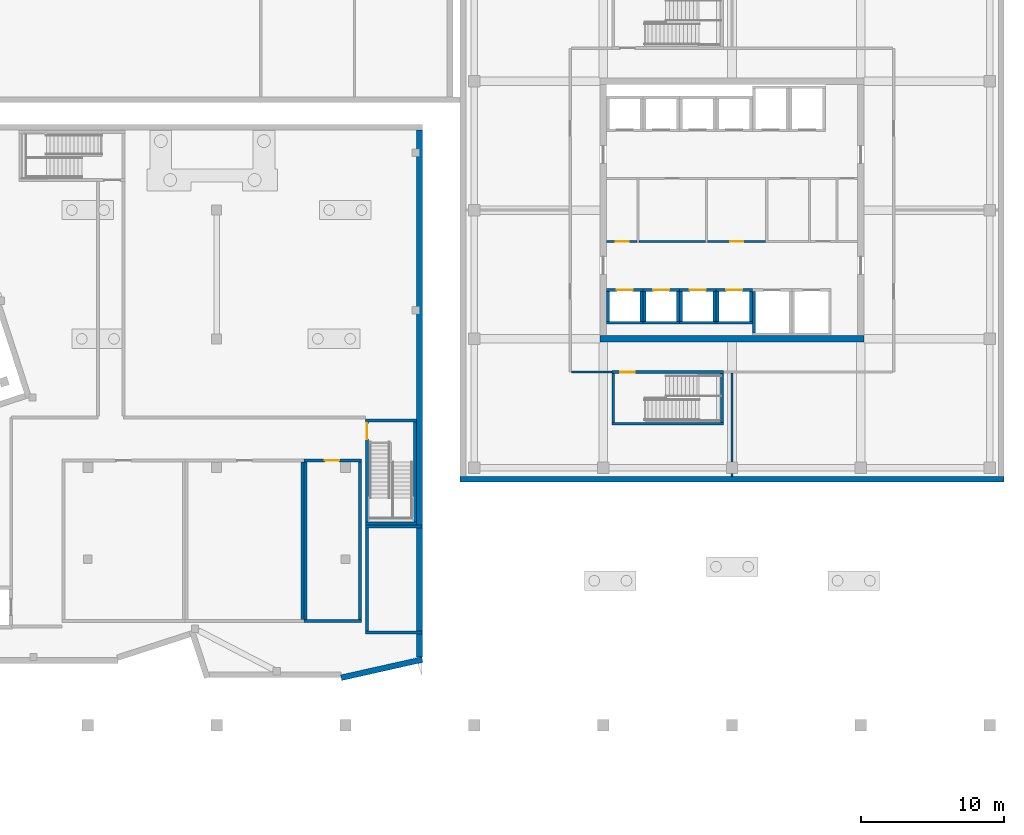
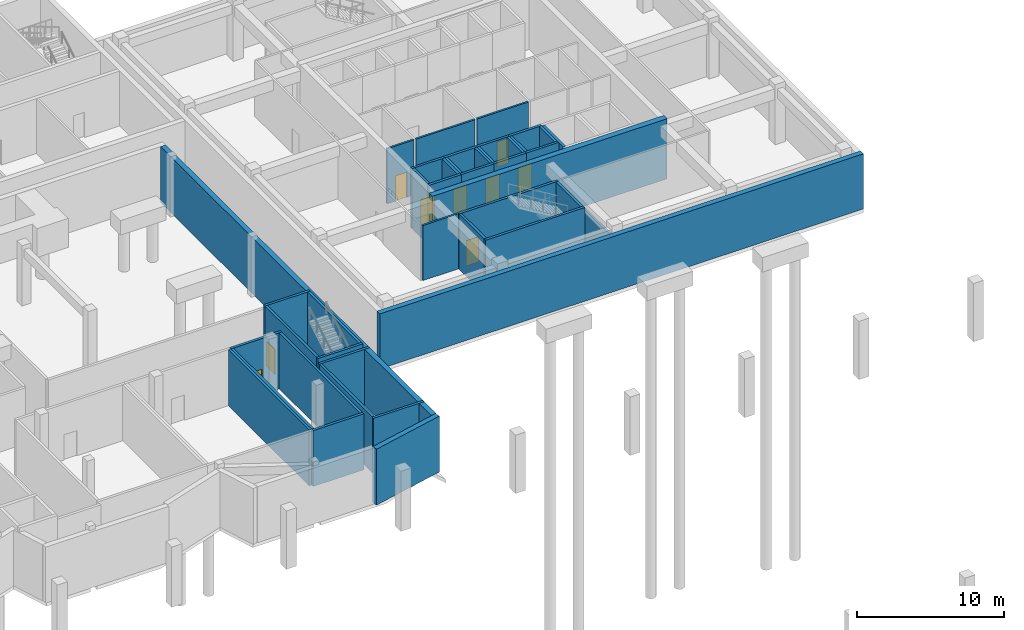
# One storey, part 6 of 15: 42 walls, 9 doors, 9 openings.
"""IFC4 building model written with IfcOpenShell, lengths in metres."""

import ifcopenshell
import ifcopenshell.guid

model = None  # the IFC model being written
_history = None  # IfcOwnerHistory: only IFC2X3 demands one
_inside = {}  # id of a spatial element -> (the spatial element, [elements in it])
_under = {}  # id of a project, library or spatial element -> (it, [spatial elements below it])
_declared = {}  # id of a project -> (the project, [libraries it declares])
_typed = {}  # id of a type object -> (the type object, [elements of that type])
_made_of = {}  # id of a material, layer set ... -> (it, [elements and type objects made of it])


def new_model(schema):
    """Start an empty IFC model of exactly this schema.

    Asked for "IFC4X3", IfcOpenShell would pick the latest addendum, in which some entities
    have other attributes; the version numbers below select the first issue.
    IFC2X3 requires an IfcOwnerHistory on every rooted entity: one is made here for all.
    """
    global model, _history
    if schema == "IFC4X3":
        model = ifcopenshell.file(schema_version=(4, 3, 0, 0))
    else:
        model = ifcopenshell.file(schema=schema)
    _inside.clear()
    _under.clear()
    _declared.clear()
    _typed.clear()
    _made_of.clear()
    _history = None
    if model.schema == "IFC2X3":
        org = make("IfcOrganization", Name="unknown")
        user = make(
            "IfcPersonAndOrganization",
            ThePerson=make("IfcPerson", FamilyName="unknown"),
            TheOrganization=org,
        )
        app = make(
            "IfcApplication",
            ApplicationDeveloper=org,
            Version="unknown",
            ApplicationFullName="unknown",
            ApplicationIdentifier="unknown",
        )
        _history = make(
            "IfcOwnerHistory",
            OwningUser=user,
            OwningApplication=app,
            ChangeAction="ADDED",
            CreationDate=0,
        )
    return model


def make(cls, **values):
    """One entity of the class cls with the attributes given. An attribute that is None is left unset."""
    return model.create_entity(
        cls, **{name: value for name, value in values.items() if value is not None}
    )


def rooted(cls, **values):
    """An entity with a GlobalId (a new one), such as an element, a storey or a relation."""
    return make(cls, GlobalId=ifcopenshell.guid.new(), OwnerHistory=_history, **values)


def si_unit(unit_type, name, prefix=None):
    """IfcSIUnit, for example si_unit("LENGTHUNIT", "METRE", prefix="MILLI")."""
    return make("IfcSIUnit", UnitType=unit_type, Prefix=prefix, Name=name)


def assignment(units):
    """IfcUnitAssignment: the units of a project."""
    return None if units is None else make("IfcUnitAssignment", Units=units)


def point(xyz):
    """IfcCartesianPoint."""
    return None if xyz is None else make("IfcCartesianPoint", Coordinates=xyz)


def direction(xyz):
    """IfcDirection."""
    return None if xyz is None else make("IfcDirection", DirectionRatios=xyz)


def frame(location, z_axis=None, x_axis=None):
    """IfcAxis2Placement3D, a coordinate frame: its origin and axes. An axis left out is left unset."""
    return make(
        "IfcAxis2Placement3D",
        Location=point(location),
        Axis=direction(z_axis),
        RefDirection=direction(x_axis),
    )


def frame_2d(location, x_axis=None):
    """IfcAxis2Placement2D, a coordinate frame in the plane: its origin and x axis."""
    return make(
        "IfcAxis2Placement2D", Location=point(location), RefDirection=direction(x_axis)
    )


def origin():
    """The frame at (0, 0, 0) with its axes left unset."""
    return frame((0.0, 0.0, 0.0))


def place(relative_to, where):
    """IfcLocalPlacement: puts the frame where relative to a parent placement (None: the world)."""
    return make(
        "IfcLocalPlacement", PlacementRelTo=relative_to, RelativePlacement=where
    )


def context(
    kind, dimensions, precision=None, world=None, true_north=None, identifier=None
):
    """IfcGeometricRepresentationContext, for example the 3D "Model" context."""
    return make(
        "IfcGeometricRepresentationContext",
        ContextIdentifier=identifier,
        ContextType=kind,
        CoordinateSpaceDimension=dimensions,
        Precision=precision,
        WorldCoordinateSystem=world,
        TrueNorth=true_north,
    )


def subcontext(parent, identifier, kind, view, scale=None):
    """IfcGeometricRepresentationSubContext, for example "Body" below "Model"."""
    return make(
        "IfcGeometricRepresentationSubContext",
        ContextIdentifier=identifier,
        ContextType=kind,
        ParentContext=parent,
        TargetScale=scale,
        TargetView=view,
    )


def project(units=None, contexts=None):
    """IfcProject with its units and contexts."""
    return rooted(
        "IfcProject",
        Name="project",
        RepresentationContexts=contexts,
        UnitsInContext=assignment(units),
    )


def spatial(cls, under=None, at=None, **own):
    """A site, building, storey or space (cls), placed at a placement, below another one or the project."""
    s = rooted(cls, ObjectPlacement=at, **own)
    if under is not None:
        _under.setdefault(under.id(), (under, []))[1].append(s)
    return s


def profile(cls, at=None, kind="AREA", **sizes):
    """A parametric profile (cls). Its sizes go by their IFC names, for example OverallWidth=200.0."""
    return make(cls, ProfileType=kind, Position=at, **sizes)


def rectangle(**sizes):
    """IfcRectangleProfileDef."""
    return profile("IfcRectangleProfileDef", **sizes)


def extrude(swept, where, along, depth):
    """IfcExtrudedAreaSolid: the profile swept, set in the frame where, extruded along a direction by depth."""
    return make(
        "IfcExtrudedAreaSolid",
        SweptArea=swept,
        Position=where,
        ExtrudedDirection=direction(along),
        Depth=depth,
    )


def shape(context_of_items, identifier, shape_type, items):
    """IfcShapeRepresentation: the items that make up one representation, for example the "Body"."""
    return make(
        "IfcShapeRepresentation",
        ContextOfItems=context_of_items,
        RepresentationIdentifier=identifier,
        RepresentationType=shape_type,
        Items=items,
    )


def material(Name=None, Category=None):
    """IfcMaterial."""
    return make("IfcMaterial", Name=Name, Category=Category)


def layer(
    of_material, thickness, ventilated=None, Name=None, Category=None, Priority=None
):
    """IfcMaterialLayer: one layer of a wall or slab, of a material (None: an air gap)."""
    return make(
        "IfcMaterialLayer",
        Material=of_material,
        LayerThickness=thickness,
        IsVentilated=ventilated,
        Name=Name,
        Category=Category,
        Priority=Priority,
    )


def layer_set(layers, Name=None):
    """IfcMaterialLayerSet."""
    return make("IfcMaterialLayerSet", MaterialLayers=layers, LayerSetName=Name)


def made_of(thing, what):
    """Note that an element or type object is made of a material, layer set ...; save() writes the relation."""
    if what is not None:
        _made_of.setdefault(what.id(), (what, []))[1].append(thing)
    return thing


def type_object(cls, material=None, **own):
    """A type object (cls), such as IfcWallType, which elements share."""
    return made_of(rooted(cls, **own), material)


def element(
    cls,
    number,
    at=None,
    inside=None,
    cuts=None,
    type_object=None,
    material=None,
    context=None,
    identifier="Body",
    shape_type=None,
    held_by="IfcProductDefinitionShape",
    body=None,
    shapes=None,
    **own,
):
    """One element of the class cls, such as IfcWall. Its Tag is "e" and its number.

    at: its placement. inside: the storey or other place that contains it. cuts: it is an
    opening in that element (IfcRelVoidsElement). A single representation is given by context,
    identifier, shape_type and body (its items); several are given by shapes. held_by: the class
    of the entity that holds the representations. save() writes the other relations.
    """
    e = rooted(cls, Tag="e%d" % number, ObjectPlacement=at, **own)
    if body is not None:
        shapes = [shape(context, identifier, shape_type, body)]
    if shapes is not None:
        e.Representation = make(held_by, Representations=shapes)
    if inside is not None:
        _inside.setdefault(inside.id(), (inside, []))[1].append(e)
    if cuts is not None:
        rooted(
            "IfcRelVoidsElement", RelatingBuildingElement=cuts, RelatedOpeningElement=e
        )
    if type_object is not None:
        _typed.setdefault(type_object.id(), (type_object, []))[1].append(e)
    return made_of(e, material)


def fill(opening, filler):
    """IfcRelFillsElement: the door or window that sits in an opening."""
    return rooted(
        "IfcRelFillsElement",
        RelatingOpeningElement=opening,
        RelatedBuildingElement=filler,
    )


def aggregate(whole, parts):
    """IfcRelAggregates: a whole, such as a stair, and the parts it consists of."""
    return rooted("IfcRelAggregates", RelatingObject=whole, RelatedObjects=parts)


def save(model, path):
    """Write the relations noted so far, then the file.

    IfcRelAggregates (storeys below a building ...), IfcRelContainedInSpatialStructure (elements
    in a storey), IfcRelDefinesByType, IfcRelAssociatesMaterial and IfcRelDeclares: one each for
    every whole, place, type object, material and project.
    """
    for whole, parts in _under.values():
        aggregate(whole, parts)
    for where, things in _inside.values():
        rooted(
            "IfcRelContainedInSpatialStructure",
            RelatedElements=things,
            RelatingStructure=where,
        )
    for kind, things in _typed.values():
        rooted("IfcRelDefinesByType", RelatedObjects=things, RelatingType=kind)
    for what, things in _made_of.values():
        rooted("IfcRelAssociatesMaterial", RelatedObjects=things, RelatingMaterial=what)
    for by, libraries in _declared.values():
        rooted("IfcRelDeclares", RelatingContext=by, RelatedDefinitions=libraries)
    model.write(path)


model = new_model("IFC4")

# Units and contexts
model_context = context("Model", 3, precision=1e-05, world=origin(), true_north=direction((0.0, 1.0)))
body_context = subcontext(model_context, "Body", "Model", "MODEL_VIEW")
ifc_project = project(units=[si_unit("LENGTHUNIT", "METRE"), si_unit("AREAUNIT", "SQUARE_METRE"), si_unit("VOLUMEUNIT", "CUBIC_METRE"), si_unit("PLANEANGLEUNIT", "RADIAN"), si_unit("MASSUNIT", "GRAM", prefix="KILO")], contexts=[model_context])

# Site, building, storey
site_placement = place(None, origin())
site = spatial("IfcSite", under=ifc_project, at=site_placement, CompositionType="ELEMENT")
building_placement = place(site_placement, origin())
building = spatial("IfcBuilding", under=site, at=building_placement, Name="Tuart Plaza Theatre", CompositionType="ELEMENT")
storey_placement = place(building_placement, frame((0.0, 0.0, -5.0)))
storey = spatial("IfcBuildingStorey", under=building, at=storey_placement, Name="B1", CompositionType="ELEMENT", Elevation=-5.0)

# Wall, opening, door
ifc_material_1 = material(Name="Masonry block", Category="masonry")
ifc_layer_1 = layer(ifc_material_1, 0.14990234375)
ifc_layer_set_1 = layer_set([ifc_layer_1], Name="PARTITION BLK150 MASONRYB FRL -/120/120")
wall_type_1 = type_object("IfcWallType", Name="PARTITION BLK150 MASONRYB FRL -/120/120", PredefinedType="PARTITIONING", material=ifc_layer_set_1)
wall_1_placement = place(storey_placement, frame((123.22509765625, 71.800048828125, 0.0), z_axis=(0.0, 0.0, 1.0), x_axis=(1.0, 0.0, 0.0)))
wall_1 = element("IfcWall", 1, at=wall_1_placement, inside=storey, type_object=wall_type_1, Name="P536", PredefinedType="PARTITIONING", context=body_context, shape_type="SweptSolid", body=[
    extrude(rectangle(XDim=2.125, YDim=0.14990234375, at=frame_2d((1.0625, 0.0))), origin(), (0.0, 0.0, 1.0), 4.580078125),
])
opening_1_placement = place(wall_1_placement, frame((0.64990234375, 0.0, 0.0)))
opening_1 = element("IfcOpeningElement", 2, at=opening_1_placement, cuts=wall_1, Name="Opening B1-049", PredefinedType="OPENING", context=body_context, shape_type="SweptSolid", body=[
    extrude(rectangle(XDim=0.89990234375, YDim=2.10009765625, at=frame_2d((0.449951171875, 1.050048828125))), frame((0.0, 0.0849609375, 0.0), z_axis=(0.0, -1.0, 0.0), x_axis=(1.0, 0.0, 0.0)), (0.0, 0.0, 1.0), 0.169921875),
])
ifc_material_2 = material(Name="Steel Grade 300", Category="steel")
door_type_1 = type_object("IfcDoorType", Name="DOOR 900x2100 steel single swing FRL -/120/30", OperationType="SINGLE_SWING_LEFT", PredefinedType="DOOR", material=ifc_material_2)
door_1_placement = place(opening_1_placement, origin())
door_1 = element("IfcDoor", 3, at=door_1_placement, inside=storey, type_object=door_type_1, Name="B1-049", OperationType="SINGLE_SWING_LEFT", OverallHeight=2.10009765625, OverallWidth=0.89990234375, PredefinedType="DOOR", context=body_context, shape_type="SweptSolid", body=[
    extrude(rectangle(XDim=0.89990234375, YDim=2.10009765625, at=frame_2d((0.449951171875, 1.050048828125))), frame((0.0, 0.02490234375, 0.0), z_axis=(0.0, -1.0, 0.0), x_axis=(1.0, 0.0, 0.0)), (0.0, 0.0, 1.0), 0.050048828125),
])
fill(opening_1, door_1)

# Wall
wall_2_placement = place(storey_placement, frame((125.5, 71.800048828125, 0.0), z_axis=(0.0, 0.0, 1.0), x_axis=(1.0, 0.0, 0.0)))
element("IfcWall", 4, at=wall_2_placement, inside=storey, type_object=wall_type_1, Name="P539", PredefinedType="PARTITIONING", context=body_context, shape_type="SweptSolid", body=[
    extrude(rectangle(XDim=4.64990234375, YDim=0.14990234375, at=frame_2d((2.324951171875, 0.0))), origin(), (0.0, 0.0, 1.0), 4.580078125),
])

# Wall, opening, door
wall_3_placement = place(storey_placement, frame((130.300048828125, 71.800048828125, 0.0), z_axis=(0.0, 0.0, 1.0), x_axis=(1.0, 0.0, 0.0)))
wall_3 = element("IfcWall", 5, at=wall_3_placement, inside=storey, type_object=wall_type_1, Name="P542", PredefinedType="PARTITIONING", context=body_context, shape_type="SweptSolid", body=[
    extrude(rectangle(XDim=4.050048828125, YDim=0.14990234375, at=frame_2d((2.02490234375, 0.0))), origin(), (0.0, 0.0, 1.0), 4.580078125),
])
opening_2_placement = place(wall_3_placement, frame((1.574951171875, 0.0, 0.0)))
opening_2 = element("IfcOpeningElement", 6, at=opening_2_placement, cuts=wall_3, Name="Opening B1-051", PredefinedType="OPENING", context=body_context, shape_type="SweptSolid", body=[
    extrude(rectangle(XDim=0.89990234375, YDim=2.10009765625, at=frame_2d((0.449951171875, 1.050048828125))), frame((0.0, 0.0849609375, 0.0), z_axis=(0.0, -1.0, 0.0), x_axis=(1.0, 0.0, 0.0)), (0.0, 0.0, 1.0), 0.169921875),
])
door_2_placement = place(opening_2_placement, origin())
door_2 = element("IfcDoor", 7, at=door_2_placement, inside=storey, type_object=door_type_1, Name="B1-051", OperationType="SINGLE_SWING_LEFT", OverallHeight=2.10009765625, OverallWidth=0.89990234375, PredefinedType="DOOR", context=body_context, shape_type="SweptSolid", body=[
    extrude(rectangle(XDim=0.89990234375, YDim=2.10009765625, at=frame_2d((0.449951171875, 1.050048828125))), frame((0.0, 0.02490234375, 0.0), z_axis=(0.0, -1.0, 0.0), x_axis=(1.0, 0.0, 0.0)), (0.0, 0.0, 1.0), 0.050048828125),
])
fill(opening_2, door_2)

# Walls
ifc_material_3 = material(Name="Masonry block", Category="masonry")
ifc_layer_2 = layer(ifc_material_3, 0.14990234375)
ifc_layer_set_2 = layer_set([ifc_layer_2], Name="PARTITION BLK150 MASONRYB FRL 120/-/-")
wall_type_2 = type_object("IfcWallType", Name="PARTITION BLK150 MASONRYB FRL 120/-/-", PredefinedType="PARTITIONING", material=ifc_layer_set_2)
wall_4_placement = place(storey_placement, frame((123.60009765625, 62.699951171875, 0.0), z_axis=(0.0, 0.0, 1.0), x_axis=(-1.0, 0.0, 0.0)))
element("IfcWall", 8, at=wall_4_placement, inside=storey, type_object=wall_type_2, Name="P553", PredefinedType="PARTITIONING", context=body_context, shape_type="SweptSolid", body=[
    extrude(rectangle(XDim=2.8251953125, YDim=0.14990234375, at=frame_2d((1.41259765625, 0.0))), origin(), (0.0, 0.0, 1.0), 4.580078125),
])
wall_5_placement = place(storey_placement, frame((132.0, 55.39892578125, 0.0), z_axis=(0.0, 0.0, 1.0), x_axis=(0.0, 1.0, 0.0)))
element("IfcWall", 9, at=wall_5_placement, inside=storey, type_object=wall_type_2, Name="P558", PredefinedType="PARTITIONING", context=body_context, shape_type="SweptSolid", body=[
    extrude(rectangle(XDim=7.22705078125, YDim=0.14990234375, at=frame_2d((3.613525390625, 0.0))), origin(), (0.0, 0.0, 1.0), 3.679931640625),
])
ifc_material_4 = material(Name="Masonry", Category="masonry")
ifc_layer_3 = layer(ifc_material_4, 0.199951171875)
ifc_layer_set_3 = layer_set([ifc_layer_3], Name="PARTITION BLK200 FRL 120/120/120")
wall_type_3 = type_object("IfcWallType", Name="PARTITION BLK200 FRL 120/120/120", PredefinedType="PARTITIONING", material=ifc_layer_set_3)
wall_6_placement = place(storey_placement, frame((102.0, 45.39990234375, 0.0), z_axis=(0.0, 0.0, 1.0), x_axis=(0.0, 1.0, 0.0)))
element("IfcWall", 10, at=wall_6_placement, inside=storey, type_object=wall_type_3, Name="P367", PredefinedType="PARTITIONING", context=body_context, shape_type="SweptSolid", body=[
    extrude(rectangle(XDim=11.0, YDim=0.199951171875, at=frame_2d((5.5, 0.0))), origin(), (0.0, 0.0, 1.0), 4.64990234375),
])
wall_7_placement = place(storey_placement, frame((102.10009765625, 45.300048828125, 0.0), z_axis=(0.0, 0.0, 1.0), x_axis=(1.0, 0.0, 0.0)))
element("IfcWall", 11, at=wall_7_placement, inside=storey, type_object=wall_type_3, Name="P370", PredefinedType="PARTITIONING", context=body_context, shape_type="SweptSolid", body=[
    extrude(rectangle(XDim=4.0, YDim=0.199951171875, at=frame_2d((2.0, 0.0))), origin(), (0.0, 0.0, 1.0), 4.64990234375),
])
wall_8_placement = place(storey_placement, frame((106.0, 45.39990234375, 0.0), z_axis=(0.0, 0.0, 1.0), x_axis=(0.0, 1.0, 0.0)))
element("IfcWall", 12, at=wall_8_placement, inside=storey, type_object=wall_type_3, Name="P371", PredefinedType="PARTITIONING", context=body_context, shape_type="SweptSolid", body=[
    extrude(rectangle(XDim=11.0, YDim=0.199951171875, at=frame_2d((5.5, 0.0))), origin(), (0.0, 0.0, 1.0), 4.64990234375),
])

# Wall, opening, door
wall_9_placement = place(storey_placement, frame((106.10009765625, 56.5, 0.0), z_axis=(0.0, 0.0, 1.0), x_axis=(-1.0, 0.0, 0.0)))
wall_9 = element("IfcWall", 13, at=wall_9_placement, inside=storey, type_object=wall_type_3, Name="P372", PredefinedType="PARTITIONING", context=body_context, shape_type="SweptSolid", body=[
    extrude(rectangle(XDim=4.0, YDim=0.199951171875, at=frame_2d((2.0, 0.0))), origin(), (0.0, 0.0, 1.0), 4.64990234375),
])
opening_3_placement = place(wall_9_placement, frame((1.550048828125, 0.0, 0.0)))
opening_3 = element("IfcOpeningElement", 14, at=opening_3_placement, cuts=wall_9, Name="Opening B1-030", PredefinedType="OPENING", context=body_context, shape_type="SweptSolid", body=[
    extrude(rectangle(XDim=1.0, YDim=2.10009765625, at=frame_2d((0.5, 1.050048828125))), frame((0.0, 0.10986328125, 0.0), z_axis=(0.0, -1.0, 0.0), x_axis=(1.0, 0.0, 0.0)), (0.0, 0.0, 1.0), 0.219970703125),
])
ifc_material_5 = material(Name="Steel Grade 300", Category="steel")
door_type_2 = type_object("IfcDoorType", Name="DOOR 1000x2100 steel single swing FRL -/120/30", OperationType="SINGLE_SWING_LEFT", PredefinedType="DOOR", material=ifc_material_5)
door_3_placement = place(opening_3_placement, origin())
door_3 = element("IfcDoor", 15, at=door_3_placement, inside=storey, type_object=door_type_2, Name="B1-030", OperationType="SINGLE_SWING_LEFT", OverallHeight=2.10009765625, OverallWidth=1.0, PredefinedType="DOOR", context=body_context, shape_type="SweptSolid", body=[
    extrude(rectangle(XDim=1.0, YDim=2.10009765625, at=frame_2d((0.5, 1.050048828125))), frame((0.0, 0.02490234375, 0.0), z_axis=(0.0, -1.0, 0.0), x_axis=(1.0, 0.0, 0.0)), (0.0, 0.0, 1.0), 0.050048828125),
])
fill(opening_3, door_3)

# Walls
wall_10_placement = place(storey_placement, frame((102.199951171875, 56.39990234375, 0.0), z_axis=(0.0, 0.0, 1.0), x_axis=(0.0, -1.0, 0.0)))
element("IfcWall", 16, at=wall_10_placement, inside=storey, type_object=wall_type_3, Name="P373", PredefinedType="PARTITIONING", context=body_context, shape_type="SweptSolid", body=[
    extrude(rectangle(XDim=11.0, YDim=0.199951171875, at=frame_2d((5.5, 0.0))), origin(), (0.0, 0.0, 1.0), 4.64990234375),
])
ifc_material_6 = material(Name="Concrete N40 (40 MPa)", Category="concrete")
ifc_layer_4 = layer(ifc_material_6, 0.199951171875)
ifc_layer_set_4 = layer_set([ifc_layer_4], Name="SHEAR WALL RC200 FRL 120/120/120")
wall_type_4 = type_object("IfcWallType", Name="SHEAR WALL RC200 FRL 120/120/120", PredefinedType="SHEAR", material=ifc_layer_set_4)
for number, where, z_axis, x_axis, name in (
    (17, (106.39990234375, 44.5, 0.0), (0.0, 0.0, 1.0), (1.0, 0.0, 0.0), "W247"),
    (18, (110.360107421875, 51.89990234375, 0.0), (0.0, 0.0, 1.0), (-1.0, 0.0, 0.0), "W248"),
):
    element("IfcWall", number, at=place(storey_placement, frame(where, z_axis=z_axis, x_axis=x_axis)), inside=storey, type_object=wall_type_4, Name=name, PredefinedType="SHEAR", context=body_context, shape_type="SweptSolid", body=[
        extrude(rectangle(XDim=3.960205078125, YDim=0.199951171875, at=frame_2d((1.97998046875, 0.0))), origin(), (0.0, 0.0, 1.0), 4.64990234375),
    ])
wall_11_placement = place(storey_placement, frame((106.5, 51.800048828125, 0.0), z_axis=(0.0, 0.0, 1.0), x_axis=(0.0, -1.0, 0.0)))
element("IfcWall", 19, at=wall_11_placement, inside=storey, type_object=wall_type_4, Name="W249", PredefinedType="SHEAR", context=body_context, shape_type="SweptSolid", body=[
    extrude(rectangle(XDim=7.199951171875, YDim=0.199951171875, at=frame_2d((3.60009765625, 0.0))), origin(), (0.0, 0.0, 1.0), 4.64990234375),
])
for number, where, z_axis, x_axis, name in (
    (20, (106.39990234375, 52.10009765625, 0.0), (0.0, 0.0, 1.0), (1.0, 0.0, 0.0), "W259"),
    (21, (109.949951171875, 59.300048828125, 0.0), (0.0, 0.0, 1.0), (-1.0, 0.0, 0.0), "W260"),
):
    element("IfcWall", number, at=place(storey_placement, frame(where, z_axis=z_axis, x_axis=x_axis)), inside=storey, type_object=wall_type_4, Name=name, PredefinedType="SHEAR", context=body_context, shape_type="SweptSolid", body=[
        extrude(rectangle(XDim=3.550048828125, YDim=0.199951171875, at=frame_2d((1.77490234375, 0.0))), origin(), (0.0, 0.0, 1.0), 5.0),
    ])

# Wall, opening, door
wall_12_placement = place(storey_placement, frame((106.5, 59.199951171875, 0.0), z_axis=(0.0, 0.0, 1.0), x_axis=(0.0, -1.0, 0.0)))
wall_12 = element("IfcWall", 22, at=wall_12_placement, inside=storey, type_object=wall_type_4, Name="W261", PredefinedType="SHEAR", context=body_context, shape_type="SweptSolid", body=[
    extrude(rectangle(XDim=7.0, YDim=0.199951171875, at=frame_2d((3.5, 0.0))), origin(), (0.0, 0.0, 1.0), 5.0),
])
opening_4_placement = place(wall_12_placement, frame((0.10009765625, 0.0, 0.0)))
opening_4 = element("IfcOpeningElement", 23, at=opening_4_placement, cuts=wall_12, Name="Opening B1-026", PredefinedType="OPENING", context=body_context, shape_type="SweptSolid", body=[
    extrude(rectangle(XDim=1.10009765625, YDim=2.10009765625, at=frame_2d((0.550048828125, 1.050048828125))), frame((0.0, 0.10986328125, 0.0), z_axis=(0.0, -1.0, 0.0), x_axis=(1.0, 0.0, 0.0)), (0.0, 0.0, 1.0), 0.219970703125),
])
ifc_material_7 = material(Name="Steel Grade 300", Category="steel")
door_type_3 = type_object("IfcDoorType", Name="DOOR 1100x2100 steel single swing FRL -/120/30", OperationType="SINGLE_SWING_LEFT", PredefinedType="DOOR", material=ifc_material_7)
door_4_placement = place(opening_4_placement, origin())
door_4 = element("IfcDoor", 24, at=door_4_placement, inside=storey, type_object=door_type_3, Name="B1-026", OperationType="SINGLE_SWING_RIGHT", OverallHeight=2.10009765625, OverallWidth=1.10009765625, PredefinedType="DOOR", context=body_context, shape_type="SweptSolid", body=[
    extrude(rectangle(XDim=1.10009765625, YDim=2.10009765625, at=frame_2d((0.550048828125, 1.050048828125))), frame((0.0, 0.02490234375, 0.0), z_axis=(0.0, -1.0, 0.0), x_axis=(1.0, 0.0, 0.0)), (0.0, 0.0, 1.0), 0.050048828125),
])
fill(opening_4, door_4)

# Walls
wall_13_placement = place(storey_placement, frame((109.85009765625, 52.199951171875, 0.0), z_axis=(0.0, 0.0, 1.0), x_axis=(0.0, 1.0, 0.0)))
element("IfcWall", 25, at=wall_13_placement, inside=storey, type_object=wall_type_4, Name="W262", PredefinedType="SHEAR", context=body_context, shape_type="SweptSolid", body=[
    extrude(rectangle(XDim=7.0, YDim=0.199951171875, at=frame_2d((3.5, 0.0))), origin(), (0.0, 0.0, 1.0), 5.0),
])
wall_14_placement = place(storey_placement, frame((123.22509765625, 66.125, 0.0), z_axis=(0.0, 0.0, 1.0), x_axis=(1.0, 0.0, 0.0)))
element("IfcWall", 26, at=wall_14_placement, inside=storey, type_object=wall_type_4, Name="W546", PredefinedType="SHEAR", context=body_context, shape_type="SweptSolid", body=[
    extrude(rectangle(XDim=2.5498046875, YDim=0.199951171875, at=frame_2d((1.27490234375, 0.0))), origin(), (0.0, 0.0, 1.0), 5.0),
])
wall_15_placement = place(storey_placement, frame((125.675048828125, 66.22509765625, 0.0), z_axis=(0.0, 0.0, 1.0), x_axis=(0.0, 1.0, 0.0)))
element("IfcWall", 27, at=wall_15_placement, inside=storey, type_object=wall_type_4, Name="W547", PredefinedType="SHEAR", context=body_context, shape_type="SweptSolid", body=[
    extrude(rectangle(XDim=2.099853515625, YDim=0.199951171875, at=frame_2d((1.0498046875, 0.0))), origin(), (0.0, 0.0, 1.0), 5.0),
])

# Wall, opening, door
wall_16_placement = place(storey_placement, frame((125.77490234375, 68.425048828125, 0.0), z_axis=(0.0, 0.0, 1.0), x_axis=(-1.0, 0.0, 0.0)))
wall_16 = element("IfcWall", 28, at=wall_16_placement, inside=storey, type_object=wall_type_4, Name="W548", PredefinedType="SHEAR", context=body_context, shape_type="SweptSolid", body=[
    extrude(rectangle(XDim=2.5498046875, YDim=0.199951171875, at=frame_2d((1.27490234375, 0.0))), origin(), (0.0, 0.0, 1.0), 5.0),
])
opening_5_placement = place(wall_16_placement, frame((0.72509765625, 0.0, 0.0)))
opening_5 = element("IfcOpeningElement", 29, at=opening_5_placement, cuts=wall_16, Name="Opening B1-031", PredefinedType="OPENING", context=body_context, shape_type="SweptSolid", body=[
    extrude(rectangle(XDim=1.10009765625, YDim=2.10009765625, at=frame_2d((0.550048828125, 1.050048828125))), frame((0.0, 0.10986328125, 0.0), z_axis=(0.0, -1.0, 0.0), x_axis=(1.0, 0.0, 0.0)), (0.0, 0.0, 1.0), 0.219970703125),
])
ifc_material_8 = material(Name="Steel Grade 300", Category="steel")
door_type_4 = type_object("IfcDoorType", Name="LANDING DOOR 1100x2100 steel sliding FRL -/120/30", OperationType="SLIDING_TO_LEFT", PredefinedType="DOOR", material=ifc_material_8)
door_5_placement = place(opening_5_placement, origin())
door_5 = element("IfcDoor", 30, at=door_5_placement, inside=storey, type_object=door_type_4, Name="B1-031", OperationType="SLIDING_TO_LEFT", OverallHeight=2.10009765625, OverallWidth=1.10009765625, PredefinedType="DOOR", context=body_context, shape_type="SweptSolid", body=[
    extrude(rectangle(XDim=1.10009765625, YDim=2.10009765625, at=frame_2d((0.550048828125, 1.050048828125))), frame((0.0, 0.02490234375, 0.0), z_axis=(0.0, -1.0, 0.0), x_axis=(1.0, 0.0, 0.0)), (0.0, 0.0, 1.0), 0.050048828125),
])
fill(opening_5, door_5)

# Walls
wall_17_placement = place(storey_placement, frame((123.324951171875, 68.324951171875, 0.0), z_axis=(0.0, 0.0, 1.0), x_axis=(0.0, -1.0, 0.0)))
element("IfcWall", 31, at=wall_17_placement, inside=storey, type_object=wall_type_4, Name="W549", PredefinedType="SHEAR", context=body_context, shape_type="SweptSolid", body=[
    extrude(rectangle(XDim=2.099853515625, YDim=0.199951171875, at=frame_2d((1.0498046875, 0.0))), origin(), (0.0, 0.0, 1.0), 5.0),
])
wall_18_placement = place(storey_placement, frame((125.77490234375, 66.125, 0.0), z_axis=(0.0, 0.0, 1.0), x_axis=(1.0, 0.0, 0.0)))
element("IfcWall", 32, at=wall_18_placement, inside=storey, type_object=wall_type_4, Name="W590", PredefinedType="SHEAR", context=body_context, shape_type="SweptSolid", body=[
    extrude(rectangle(XDim=2.550048828125, YDim=0.199951171875, at=frame_2d((1.27490234375, 0.0))), origin(), (0.0, 0.0, 1.0), 5.0),
])
wall_19_placement = place(storey_placement, frame((128.22509765625, 66.22509765625, 0.0), z_axis=(0.0, 0.0, 1.0), x_axis=(0.0, 1.0, 0.0)))
element("IfcWall", 33, at=wall_19_placement, inside=storey, type_object=wall_type_4, Name="W591", PredefinedType="SHEAR", context=body_context, shape_type="SweptSolid", body=[
    extrude(rectangle(XDim=2.099853515625, YDim=0.199951171875, at=frame_2d((1.0498046875, 0.0))), origin(), (0.0, 0.0, 1.0), 5.0),
])

# Wall, opening, door
wall_20_placement = place(storey_placement, frame((128.324951171875, 68.425048828125, 0.0), z_axis=(0.0, 0.0, 1.0), x_axis=(-1.0, 0.0, 0.0)))
wall_20 = element("IfcWall", 34, at=wall_20_placement, inside=storey, type_object=wall_type_4, Name="W592", PredefinedType="SHEAR", context=body_context, shape_type="SweptSolid", body=[
    extrude(rectangle(XDim=2.550048828125, YDim=0.199951171875, at=frame_2d((1.27490234375, 0.0))), origin(), (0.0, 0.0, 1.0), 5.0),
])
opening_6_placement = place(wall_20_placement, frame((0.72509765625, 0.0, 0.0)))
opening_6 = element("IfcOpeningElement", 35, at=opening_6_placement, cuts=wall_20, Name="Opening B1-032", PredefinedType="OPENING", context=body_context, shape_type="SweptSolid", body=[
    extrude(rectangle(XDim=1.10009765625, YDim=2.10009765625, at=frame_2d((0.550048828125, 1.050048828125))), frame((0.0, 0.10986328125, 0.0), z_axis=(0.0, -1.0, 0.0), x_axis=(1.0, 0.0, 0.0)), (0.0, 0.0, 1.0), 0.219970703125),
])
door_6_placement = place(opening_6_placement, origin())
door_6 = element("IfcDoor", 36, at=door_6_placement, inside=storey, type_object=door_type_4, Name="B1-032", OperationType="SLIDING_TO_LEFT", OverallHeight=2.10009765625, OverallWidth=1.10009765625, PredefinedType="DOOR", context=body_context, shape_type="SweptSolid", body=[
    extrude(rectangle(XDim=1.10009765625, YDim=2.10009765625, at=frame_2d((0.550048828125, 1.050048828125))), frame((0.0, 0.02490234375, 0.0), z_axis=(0.0, -1.0, 0.0), x_axis=(1.0, 0.0, 0.0)), (0.0, 0.0, 1.0), 0.050048828125),
])
fill(opening_6, door_6)

# Walls
wall_21_placement = place(storey_placement, frame((125.875, 68.324951171875, 0.0), z_axis=(0.0, 0.0, 1.0), x_axis=(0.0, -1.0, 0.0)))
element("IfcWall", 37, at=wall_21_placement, inside=storey, type_object=wall_type_4, Name="W593", PredefinedType="SHEAR", context=body_context, shape_type="SweptSolid", body=[
    extrude(rectangle(XDim=2.099853515625, YDim=0.199951171875, at=frame_2d((1.0498046875, 0.0))), origin(), (0.0, 0.0, 1.0), 5.0),
])
wall_22_placement = place(storey_placement, frame((128.324951171875, 66.125, 0.0), z_axis=(0.0, 0.0, 1.0), x_axis=(1.0, 0.0, 0.0)))
element("IfcWall", 38, at=wall_22_placement, inside=storey, type_object=wall_type_4, Name="W634", PredefinedType="SHEAR", context=body_context, shape_type="SweptSolid", body=[
    extrude(rectangle(XDim=2.550048828125, YDim=0.199951171875, at=frame_2d((1.27490234375, 0.0))), origin(), (0.0, 0.0, 1.0), 5.0),
])
wall_23_placement = place(storey_placement, frame((130.77490234375, 66.22509765625, 0.0), z_axis=(0.0, 0.0, 1.0), x_axis=(0.0, 1.0, 0.0)))
element("IfcWall", 39, at=wall_23_placement, inside=storey, type_object=wall_type_4, Name="W635", PredefinedType="SHEAR", context=body_context, shape_type="SweptSolid", body=[
    extrude(rectangle(XDim=2.099853515625, YDim=0.199951171875, at=frame_2d((1.0498046875, 0.0))), origin(), (0.0, 0.0, 1.0), 5.0),
])

# Wall, opening, door
wall_24_placement = place(storey_placement, frame((130.875, 68.425048828125, 0.0), z_axis=(0.0, 0.0, 1.0), x_axis=(-1.0, 0.0, 0.0)))
wall_24 = element("IfcWall", 40, at=wall_24_placement, inside=storey, type_object=wall_type_4, Name="W636", PredefinedType="SHEAR", context=body_context, shape_type="SweptSolid", body=[
    extrude(rectangle(XDim=2.550048828125, YDim=0.199951171875, at=frame_2d((1.27490234375, 0.0))), origin(), (0.0, 0.0, 1.0), 5.0),
])
opening_7_placement = place(wall_24_placement, frame((0.72509765625, 0.0, 0.0)))
opening_7 = element("IfcOpeningElement", 41, at=opening_7_placement, cuts=wall_24, Name="Opening B1-033", PredefinedType="OPENING", context=body_context, shape_type="SweptSolid", body=[
    extrude(rectangle(XDim=1.10009765625, YDim=2.10009765625, at=frame_2d((0.550048828125, 1.050048828125))), frame((0.0, 0.10986328125, 0.0), z_axis=(0.0, -1.0, 0.0), x_axis=(1.0, 0.0, 0.0)), (0.0, 0.0, 1.0), 0.219970703125),
])
door_7_placement = place(opening_7_placement, origin())
door_7 = element("IfcDoor", 42, at=door_7_placement, inside=storey, type_object=door_type_4, Name="B1-033", OperationType="SLIDING_TO_LEFT", OverallHeight=2.10009765625, OverallWidth=1.10009765625, PredefinedType="DOOR", context=body_context, shape_type="SweptSolid", body=[
    extrude(rectangle(XDim=1.10009765625, YDim=2.10009765625, at=frame_2d((0.550048828125, 1.050048828125))), frame((0.0, 0.02490234375, 0.0), z_axis=(0.0, -1.0, 0.0), x_axis=(1.0, 0.0, 0.0)), (0.0, 0.0, 1.0), 0.050048828125),
])
fill(opening_7, door_7)

# Walls
wall_25_placement = place(storey_placement, frame((128.425048828125, 68.324951171875, 0.0), z_axis=(0.0, 0.0, 1.0), x_axis=(0.0, -1.0, 0.0)))
element("IfcWall", 43, at=wall_25_placement, inside=storey, type_object=wall_type_4, Name="W637", PredefinedType="SHEAR", context=body_context, shape_type="SweptSolid", body=[
    extrude(rectangle(XDim=2.099853515625, YDim=0.199951171875, at=frame_2d((1.0498046875, 0.0))), origin(), (0.0, 0.0, 1.0), 5.0),
])
wall_26_placement = place(storey_placement, frame((130.875, 66.125, 0.0), z_axis=(0.0, 0.0, 1.0), x_axis=(1.0, 0.0, 0.0)))
element("IfcWall", 44, at=wall_26_placement, inside=storey, type_object=wall_type_4, Name="W678", PredefinedType="SHEAR", context=body_context, shape_type="SweptSolid", body=[
    extrude(rectangle(XDim=2.550048828125, YDim=0.199951171875, at=frame_2d((1.27490234375, 0.0))), origin(), (0.0, 0.0, 1.0), 5.0),
])
wall_27_placement = place(storey_placement, frame((133.324951171875, 66.22509765625, 0.0), z_axis=(0.0, 0.0, 1.0), x_axis=(0.0, 1.0, 0.0)))
element("IfcWall", 45, at=wall_27_placement, inside=storey, type_object=wall_type_4, Name="W679", PredefinedType="SHEAR", context=body_context, shape_type="SweptSolid", body=[
    extrude(rectangle(XDim=2.099853515625, YDim=0.199951171875, at=frame_2d((1.0498046875, 0.0))), origin(), (0.0, 0.0, 1.0), 5.0),
])

# Wall, opening, door
wall_28_placement = place(storey_placement, frame((133.425048828125, 68.425048828125, 0.0), z_axis=(0.0, 0.0, 1.0), x_axis=(-1.0, 0.0, 0.0)))
wall_28 = element("IfcWall", 46, at=wall_28_placement, inside=storey, type_object=wall_type_4, Name="W680", PredefinedType="SHEAR", context=body_context, shape_type="SweptSolid", body=[
    extrude(rectangle(XDim=2.550048828125, YDim=0.199951171875, at=frame_2d((1.27490234375, 0.0))), origin(), (0.0, 0.0, 1.0), 5.0),
])
opening_8_placement = place(wall_28_placement, frame((0.72509765625, 0.0, 0.0)))
opening_8 = element("IfcOpeningElement", 47, at=opening_8_placement, cuts=wall_28, Name="Opening B1-034", PredefinedType="OPENING", context=body_context, shape_type="SweptSolid", body=[
    extrude(rectangle(XDim=1.10009765625, YDim=2.10009765625, at=frame_2d((0.550048828125, 1.050048828125))), frame((0.0, 0.10986328125, 0.0), z_axis=(0.0, -1.0, 0.0), x_axis=(1.0, 0.0, 0.0)), (0.0, 0.0, 1.0), 0.219970703125),
])
door_8_placement = place(opening_8_placement, origin())
door_8 = element("IfcDoor", 48, at=door_8_placement, inside=storey, type_object=door_type_4, Name="B1-034", OperationType="SLIDING_TO_LEFT", OverallHeight=2.10009765625, OverallWidth=1.10009765625, PredefinedType="DOOR", context=body_context, shape_type="SweptSolid", body=[
    extrude(rectangle(XDim=1.10009765625, YDim=2.10009765625, at=frame_2d((0.550048828125, 1.050048828125))), frame((0.0, 0.02490234375, 0.0), z_axis=(0.0, -1.0, 0.0), x_axis=(1.0, 0.0, 0.0)), (0.0, 0.0, 1.0), 0.050048828125),
])
fill(opening_8, door_8)

# Walls
wall_29_placement = place(storey_placement, frame((130.97509765625, 68.324951171875, 0.0), z_axis=(0.0, 0.0, 1.0), x_axis=(0.0, -1.0, 0.0)))
element("IfcWall", 49, at=wall_29_placement, inside=storey, type_object=wall_type_4, Name="W681", PredefinedType="SHEAR", context=body_context, shape_type="SweptSolid", body=[
    extrude(rectangle(XDim=2.099853515625, YDim=0.199951171875, at=frame_2d((1.0498046875, 0.0))), origin(), (0.0, 0.0, 1.0), 5.0),
])
wall_30_placement = place(storey_placement, frame((133.52490234375, 68.324951171875, 0.0), z_axis=(0.0, 0.0, 1.0), x_axis=(0.0, -1.0, 0.0)))
element("IfcWall", 50, at=wall_30_placement, inside=storey, type_object=wall_type_4, Name="W1013", PredefinedType="SHEAR", context=body_context, shape_type="SweptSolid", body=[
    extrude(rectangle(XDim=2.89990234375, YDim=0.199951171875, at=frame_2d((1.449951171875, 0.0))), origin(), (0.0, 0.0, 1.0), 5.0),
])
wall_31_placement = place(storey_placement, frame((123.60009765625, 59.074951171875, 0.0), z_axis=(0.0, 0.0, 1.0), x_axis=(1.0, 0.0, 0.0)))
element("IfcWall", 51, at=wall_31_placement, inside=storey, type_object=wall_type_4, Name="P480", PredefinedType="SHEAR", context=body_context, shape_type="SweptSolid", body=[
    extrude(rectangle(XDim=7.7998046875, YDim=0.199951171875, at=frame_2d((3.89990234375, 0.0))), origin(), (0.0, 0.0, 1.0), 4.580078125),
])
wall_32_placement = place(storey_placement, frame((131.300048828125, 59.175048828125, 0.0), z_axis=(0.0, 0.0, 1.0), x_axis=(0.0, 1.0, 0.0)))
element("IfcWall", 52, at=wall_32_placement, inside=storey, type_object=wall_type_4, Name="P481", PredefinedType="SHEAR", context=body_context, shape_type="SweptSolid", body=[
    extrude(rectangle(XDim=3.39990234375, YDim=0.199951171875, at=frame_2d((1.699951171875, 0.0))), origin(), (0.0, 0.0, 1.0), 4.580078125),
])

# Wall, opening, door
wall_33_placement = place(storey_placement, frame((131.39990234375, 62.675048828125, 0.0), z_axis=(0.0, 0.0, 1.0), x_axis=(-1.0, 0.0, 0.0)))
wall_33 = element("IfcWall", 53, at=wall_33_placement, inside=storey, type_object=wall_type_4, Name="P482", PredefinedType="SHEAR", context=body_context, shape_type="SweptSolid", body=[
    extrude(rectangle(XDim=7.7998046875, YDim=0.199951171875, at=frame_2d((3.89990234375, 0.0))), origin(), (0.0, 0.0, 1.0), 4.580078125),
])
opening_9_placement = place(wall_33_placement, frame((6.199951171875, 0.0, 0.0)))
opening_9 = element("IfcOpeningElement", 54, at=opening_9_placement, cuts=wall_33, Name="Opening B1-043", PredefinedType="OPENING", context=body_context, shape_type="SweptSolid", body=[
    extrude(rectangle(XDim=1.0, YDim=2.10009765625, at=frame_2d((0.5, 1.050048828125))), frame((0.0, 0.10986328125, 0.0), z_axis=(0.0, -1.0, 0.0), x_axis=(1.0, 0.0, 0.0)), (0.0, 0.0, 1.0), 0.219970703125),
])
door_9_placement = place(opening_9_placement, origin())
door_9 = element("IfcDoor", 55, at=door_9_placement, inside=storey, type_object=door_type_2, Name="B1-043", OperationType="SINGLE_SWING_LEFT", OverallHeight=2.10009765625, OverallWidth=1.0, PredefinedType="DOOR", context=body_context, shape_type="SweptSolid", body=[
    extrude(rectangle(XDim=1.0, YDim=2.10009765625, at=frame_2d((0.5, 1.050048828125))), frame((0.0, 0.02490234375, 0.0), z_axis=(0.0, -1.0, 0.0), x_axis=(1.0, 0.0, 0.0)), (0.0, 0.0, 1.0), 0.050048828125),
])
fill(opening_9, door_9)

# Walls
wall_34_placement = place(storey_placement, frame((123.699951171875, 62.574951171875, 0.0), z_axis=(0.0, 0.0, 1.0), x_axis=(0.0, -1.0, 0.0)))
element("IfcWall", 56, at=wall_34_placement, inside=storey, type_object=wall_type_4, Name="P483", PredefinedType="SHEAR", context=body_context, shape_type="SweptSolid", body=[
    extrude(rectangle(XDim=3.39990234375, YDim=0.199951171875, at=frame_2d((1.699951171875, 0.0))), origin(), (0.0, 0.0, 1.0), 4.580078125),
])
ifc_material_9 = material(Name="Concrete N40 (40 MPa)", Category="concrete")
ifc_layer_5 = layer(ifc_material_9, 0.39990234375)
ifc_layer_set_5 = layer_set([ifc_layer_5], Name="SHEAR WALL RC400 FRL 120/120/120 EXT")
wall_type_5 = type_object("IfcWallType", Name="SHEAR WALL RC400 FRL 120/120/120 EXT", PredefinedType="SHEAR", material=ifc_layer_set_5)
wall_35_placement = place(storey_placement, frame((110.36328125, 42.6005859375, 0.0), z_axis=(0.0, 0.0, 1.0), x_axis=(-0.975724869906, -0.218999950334, 0.0)))
element("IfcWall", 57, at=wall_35_placement, inside=storey, type_object=wall_type_5, Name="W313", PredefinedType="SHEAR", context=body_context, shape_type="SweptSolid", body=[
    extrude(rectangle(XDim=5.806884765625, YDim=0.39990234375, at=frame_2d((2.9033203125, 0.0))), origin(), (0.0, 0.0, 1.0), 4.64990234375),
])
wall_36_placement = place(storey_placement, frame((110.1630859375, 79.5869140625, 0.0), z_axis=(0.0, 0.0, 1.0), x_axis=(0.0, -1.0, 0.0)))
element("IfcWall", 58, at=wall_36_placement, inside=storey, type_object=wall_type_5, Name="W334", PredefinedType="SHEAR", context=body_context, shape_type="SweptSolid", body=[
    extrude(rectangle(XDim=36.826171875, YDim=0.39990234375, at=frame_2d((18.4130859375, 0.0))), origin(), (0.0, 0.0, 1.0), 4.64990234375),
])
ifc_material_10 = material(Name="Concrete N50 (50 MPa)", Category="concrete")
ifc_layer_6 = layer(ifc_material_10, 0.449951171875)
ifc_layer_set_6 = layer_set([ifc_layer_6], Name="SHEAR WALL RC450 N50 FRL 120/120/120")
wall_type_6 = type_object("IfcWallType", Name="SHEAR WALL RC450 N50 FRL 120/120/120", PredefinedType="SHEAR", material=ifc_layer_set_6)
wall_37_placement = place(storey_placement, frame((122.77490234375, 65.0, 0.0), z_axis=(0.0, 0.0, 1.0), x_axis=(1.0, 0.0, 0.0)))
element("IfcWall", 59, at=wall_37_placement, inside=storey, type_object=wall_type_6, Name="W347", PredefinedType="SHEAR", context=body_context, shape_type="SweptSolid", body=[
    extrude(rectangle(XDim=18.4501953125, YDim=0.449951171875, at=frame_2d((9.22509765625, 0.0))), origin(), (0.0, 0.0, 1.0), 5.0),
])
ifc_material_11 = material(Name="Concrete N40 (40 MPa)", Category="concrete")
ifc_layer_7 = layer(ifc_material_11, 0.39990234375)
ifc_layer_set_7 = layer_set([ifc_layer_7], Name="WALL RC400 LB FRL 120/120/120")
wall_type_7 = type_object("IfcWallType", Name="WALL RC400 LB FRL 120/120/120", PredefinedType="SOLIDWALL", material=ifc_layer_set_7)
wall_38_placement = place(storey_placement, frame((113.0, 55.199951171875, 0.0), z_axis=(0.0, 0.0, 1.0), x_axis=(1.0, 0.0, 0.0)))
element("IfcWall", 60, at=wall_38_placement, inside=storey, type_object=wall_type_7, Name="W459", PredefinedType="SOLIDWALL", context=body_context, shape_type="SweptSolid", body=[
    extrude(rectangle(XDim=38.0, YDim=0.39990234375, at=frame_2d((19.0, 0.0))), origin(), (0.0, 0.0, 1.0), 4.580078125),
])

save(model, "model.ifc")
